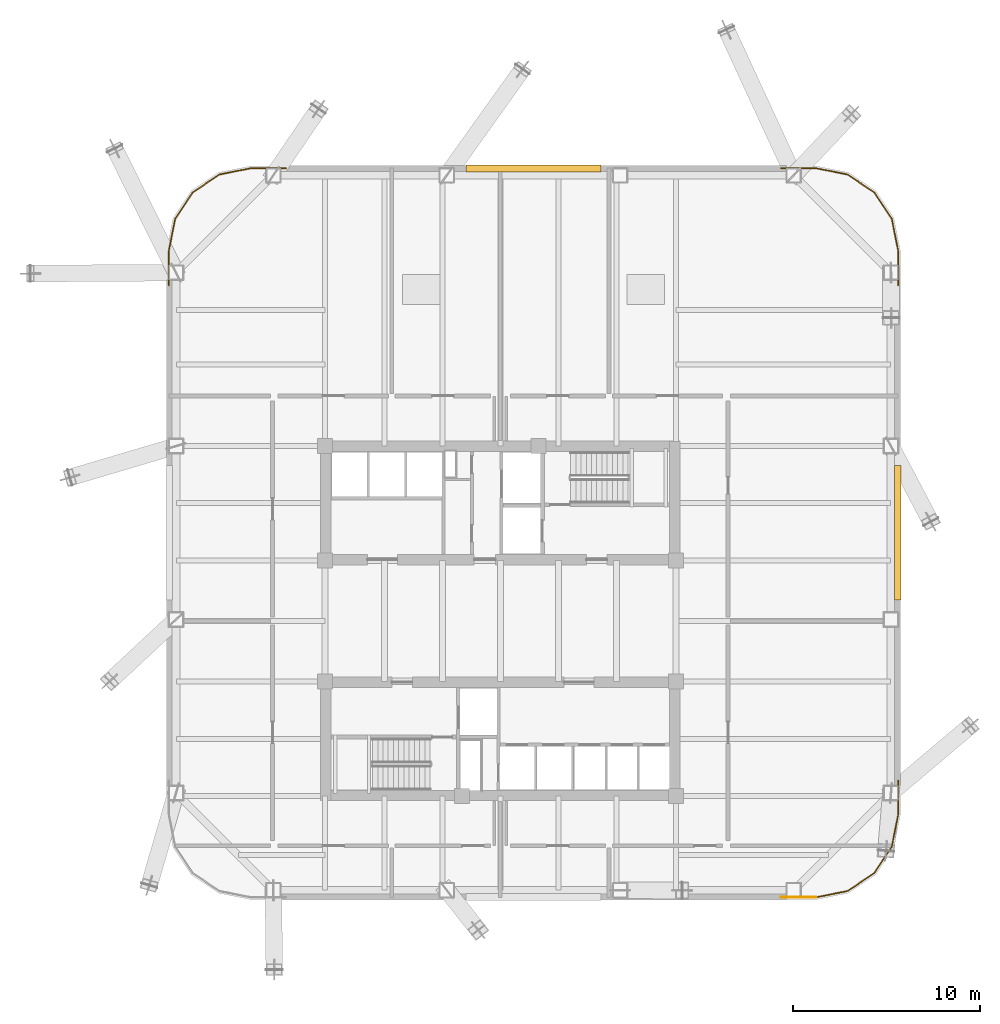
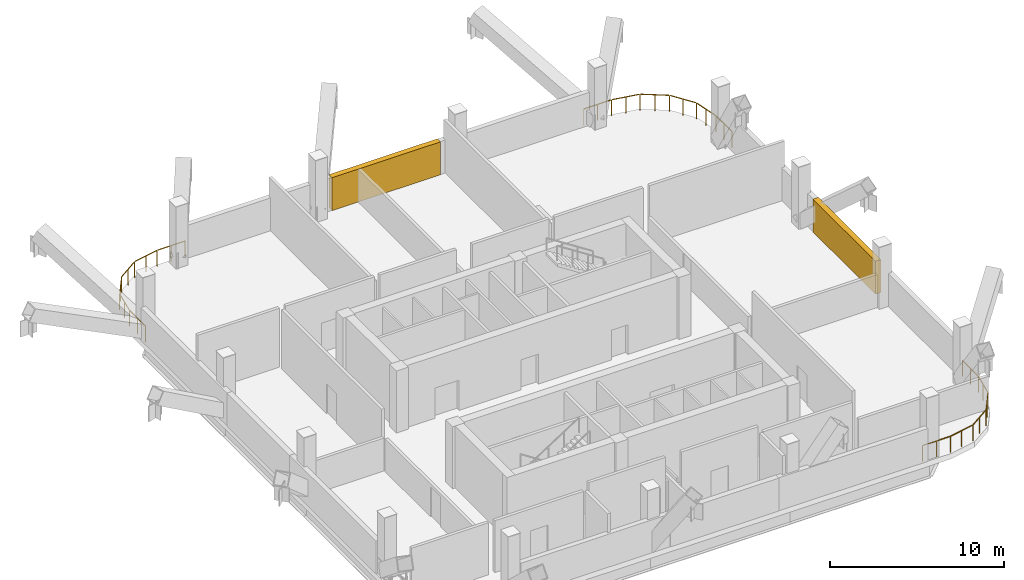
# One storey, part 7 of 7: 4 railings, 2 shading devices.
"""IFC4 building model written with IfcOpenShell, lengths in metres."""

import ifcopenshell
import ifcopenshell.guid

model = None  # the IFC model being written
_history = None  # IfcOwnerHistory: only IFC2X3 demands one
_inside = {}  # id of a spatial element -> (the spatial element, [elements in it])
_under = {}  # id of a project, library or spatial element -> (it, [spatial elements below it])
_declared = {}  # id of a project -> (the project, [libraries it declares])
_typed = {}  # id of a type object -> (the type object, [elements of that type])
_made_of = {}  # id of a material, layer set ... -> (it, [elements and type objects made of it])


def new_model(schema):
    """Start an empty IFC model of exactly this schema.

    Asked for "IFC4X3", IfcOpenShell would pick the latest addendum, in which some entities
    have other attributes; the version numbers below select the first issue.
    IFC2X3 requires an IfcOwnerHistory on every rooted entity: one is made here for all.
    """
    global model, _history
    if schema == "IFC4X3":
        model = ifcopenshell.file(schema_version=(4, 3, 0, 0))
    else:
        model = ifcopenshell.file(schema=schema)
    _inside.clear()
    _under.clear()
    _declared.clear()
    _typed.clear()
    _made_of.clear()
    _history = None
    if model.schema == "IFC2X3":
        org = make("IfcOrganization", Name="unknown")
        user = make(
            "IfcPersonAndOrganization",
            ThePerson=make("IfcPerson", FamilyName="unknown"),
            TheOrganization=org,
        )
        app = make(
            "IfcApplication",
            ApplicationDeveloper=org,
            Version="unknown",
            ApplicationFullName="unknown",
            ApplicationIdentifier="unknown",
        )
        _history = make(
            "IfcOwnerHistory",
            OwningUser=user,
            OwningApplication=app,
            ChangeAction="ADDED",
            CreationDate=0,
        )
    return model


def make(cls, **values):
    """One entity of the class cls with the attributes given. An attribute that is None is left unset."""
    return model.create_entity(
        cls, **{name: value for name, value in values.items() if value is not None}
    )


def rooted(cls, **values):
    """An entity with a GlobalId (a new one), such as an element, a storey or a relation."""
    return make(cls, GlobalId=ifcopenshell.guid.new(), OwnerHistory=_history, **values)


def si_unit(unit_type, name, prefix=None):
    """IfcSIUnit, for example si_unit("LENGTHUNIT", "METRE", prefix="MILLI")."""
    return make("IfcSIUnit", UnitType=unit_type, Prefix=prefix, Name=name)


def assignment(units):
    """IfcUnitAssignment: the units of a project."""
    return None if units is None else make("IfcUnitAssignment", Units=units)


def point(xyz):
    """IfcCartesianPoint."""
    return None if xyz is None else make("IfcCartesianPoint", Coordinates=xyz)


def direction(xyz):
    """IfcDirection."""
    return None if xyz is None else make("IfcDirection", DirectionRatios=xyz)


def frame(location, z_axis=None, x_axis=None):
    """IfcAxis2Placement3D, a coordinate frame: its origin and axes. An axis left out is left unset."""
    return make(
        "IfcAxis2Placement3D",
        Location=point(location),
        Axis=direction(z_axis),
        RefDirection=direction(x_axis),
    )


def frame_2d(location, x_axis=None):
    """IfcAxis2Placement2D, a coordinate frame in the plane: its origin and x axis."""
    return make(
        "IfcAxis2Placement2D", Location=point(location), RefDirection=direction(x_axis)
    )


def origin():
    """The frame at (0, 0, 0) with its axes left unset."""
    return frame((0.0, 0.0, 0.0))


def origin_2d():
    """The frame at (0, 0) in the plane with its x axis left unset."""
    return frame_2d((0.0, 0.0))


def place(relative_to, where):
    """IfcLocalPlacement: puts the frame where relative to a parent placement (None: the world)."""
    return make(
        "IfcLocalPlacement", PlacementRelTo=relative_to, RelativePlacement=where
    )


def context(
    kind, dimensions, precision=None, world=None, true_north=None, identifier=None
):
    """IfcGeometricRepresentationContext, for example the 3D "Model" context."""
    return make(
        "IfcGeometricRepresentationContext",
        ContextIdentifier=identifier,
        ContextType=kind,
        CoordinateSpaceDimension=dimensions,
        Precision=precision,
        WorldCoordinateSystem=world,
        TrueNorth=true_north,
    )


def subcontext(parent, identifier, kind, view, scale=None):
    """IfcGeometricRepresentationSubContext, for example "Body" below "Model"."""
    return make(
        "IfcGeometricRepresentationSubContext",
        ContextIdentifier=identifier,
        ContextType=kind,
        ParentContext=parent,
        TargetScale=scale,
        TargetView=view,
    )


def project(units=None, contexts=None):
    """IfcProject with its units and contexts."""
    return rooted(
        "IfcProject",
        Name="project",
        RepresentationContexts=contexts,
        UnitsInContext=assignment(units),
    )


def spatial(cls, under=None, at=None, **own):
    """A site, building, storey or space (cls), placed at a placement, below another one or the project."""
    s = rooted(cls, ObjectPlacement=at, **own)
    if under is not None:
        _under.setdefault(under.id(), (under, []))[1].append(s)
    return s


def profile(cls, at=None, kind="AREA", **sizes):
    """A parametric profile (cls). Its sizes go by their IFC names, for example OverallWidth=200.0."""
    return make(cls, ProfileType=kind, Position=at, **sizes)


def rectangle(**sizes):
    """IfcRectangleProfileDef."""
    return profile("IfcRectangleProfileDef", **sizes)


def extrude(swept, where, along, depth):
    """IfcExtrudedAreaSolid: the profile swept, set in the frame where, extruded along a direction by depth."""
    return make(
        "IfcExtrudedAreaSolid",
        SweptArea=swept,
        Position=where,
        ExtrudedDirection=direction(along),
        Depth=depth,
    )


def shape(context_of_items, identifier, shape_type, items):
    """IfcShapeRepresentation: the items that make up one representation, for example the "Body"."""
    return make(
        "IfcShapeRepresentation",
        ContextOfItems=context_of_items,
        RepresentationIdentifier=identifier,
        RepresentationType=shape_type,
        Items=items,
    )


def material(Name=None, Category=None):
    """IfcMaterial."""
    return make("IfcMaterial", Name=Name, Category=Category)


def made_of(thing, what):
    """Note that an element or type object is made of a material, layer set ...; save() writes the relation."""
    if what is not None:
        _made_of.setdefault(what.id(), (what, []))[1].append(thing)
    return thing


def type_object(cls, material=None, **own):
    """A type object (cls), such as IfcWallType, which elements share."""
    return made_of(rooted(cls, **own), material)


def element(
    cls,
    number,
    at=None,
    inside=None,
    cuts=None,
    type_object=None,
    material=None,
    context=None,
    identifier="Body",
    shape_type=None,
    held_by="IfcProductDefinitionShape",
    body=None,
    shapes=None,
    **own,
):
    """One element of the class cls, such as IfcWall. Its Tag is "e" and its number.

    at: its placement. inside: the storey or other place that contains it. cuts: it is an
    opening in that element (IfcRelVoidsElement). A single representation is given by context,
    identifier, shape_type and body (its items); several are given by shapes. held_by: the class
    of the entity that holds the representations. save() writes the other relations.
    """
    e = rooted(cls, Tag="e%d" % number, ObjectPlacement=at, **own)
    if body is not None:
        shapes = [shape(context, identifier, shape_type, body)]
    if shapes is not None:
        e.Representation = make(held_by, Representations=shapes)
    if inside is not None:
        _inside.setdefault(inside.id(), (inside, []))[1].append(e)
    if cuts is not None:
        rooted(
            "IfcRelVoidsElement", RelatingBuildingElement=cuts, RelatedOpeningElement=e
        )
    if type_object is not None:
        _typed.setdefault(type_object.id(), (type_object, []))[1].append(e)
    return made_of(e, material)


def aggregate(whole, parts):
    """IfcRelAggregates: a whole, such as a stair, and the parts it consists of."""
    return rooted("IfcRelAggregates", RelatingObject=whole, RelatedObjects=parts)


def save(model, path):
    """Write the relations noted so far, then the file.

    IfcRelAggregates (storeys below a building ...), IfcRelContainedInSpatialStructure (elements
    in a storey), IfcRelDefinesByType, IfcRelAssociatesMaterial and IfcRelDeclares: one each for
    every whole, place, type object, material and project.
    """
    for whole, parts in _under.values():
        aggregate(whole, parts)
    for where, things in _inside.values():
        rooted(
            "IfcRelContainedInSpatialStructure",
            RelatedElements=things,
            RelatingStructure=where,
        )
    for kind, things in _typed.values():
        rooted("IfcRelDefinesByType", RelatedObjects=things, RelatingType=kind)
    for what, things in _made_of.values():
        rooted("IfcRelAssociatesMaterial", RelatedObjects=things, RelatingMaterial=what)
    for by, libraries in _declared.values():
        rooted("IfcRelDeclares", RelatingContext=by, RelatedDefinitions=libraries)
    model.write(path)


model = new_model("IFC4")

# Units and contexts
model_context = context("Model", 3, precision=1e-05, world=origin(), true_north=direction((0.0, 1.0)))
body_context = subcontext(model_context, "Body", "Model", "MODEL_VIEW")
ifc_project = project(units=[si_unit("LENGTHUNIT", "METRE"), si_unit("AREAUNIT", "SQUARE_METRE"), si_unit("VOLUMEUNIT", "CUBIC_METRE"), si_unit("PLANEANGLEUNIT", "RADIAN"), si_unit("MASSUNIT", "GRAM", prefix="KILO")], contexts=[model_context])

# Site, building, storey
site_placement = place(None, origin())
site = spatial("IfcSite", under=ifc_project, at=site_placement, CompositionType="ELEMENT")
building_placement = place(site_placement, origin())
building = spatial("IfcBuilding", under=site, at=building_placement, Name="Qhalaya Broadcast Tower", CompositionType="ELEMENT")
storey_placement = place(building_placement, frame((0.0, 0.0, 108.449951171875)))
storey = spatial("IfcBuildingStorey", under=building, at=storey_placement, Name="L31", CompositionType="ELEMENT", Elevation=108.449951171875)

# Shading devices
ifc_material_1 = material(Name="Fired Architectural Terracotta", Category="masonry")
shading_device_type = type_object("IfcShadingDeviceType", Name="Plant & Turbine-Slot Acoustic Louvre Screen LVS-01", PredefinedType="USERDEFINED", material=ifc_material_1)
for number, where, z_axis, x_axis, name in (
    (1, (21.22998046875, 5.31005859375, 0.0), (0.0, 0.0, 1.0), (0.0, -1.0, 0.0), "L31 Plant Acoustic Louvre Screen E"),
    (2, (1.77001953125, 24.77001953125, 0.0), (0.0, 0.0, 1.0), (1.0, 0.0, 0.0), "L31 Plant Acoustic Louvre Screen N"),
):
    element("IfcShadingDevice", number, at=place(storey_placement, frame(where, z_axis=z_axis, x_axis=x_axis)), inside=storey, type_object=shading_device_type, Name=name, ObjectType="LOUVRE", PredefinedType="USERDEFINED", context=body_context, shape_type="SweptSolid", body=[
        extrude(rectangle(XDim=7.199951171875, YDim=0.360107421875, at=origin_2d()), origin(), (0.0, 0.0, 1.0), 2.31005859375),
    ])

# Railings
ifc_material_2 = material(Name="Powder-Coated Galvanised Steel", Category="steel")
railing_type = type_object("IfcRailingType", Name="Terrace, Sky-Pool & Lookout Glass Balustrade 1150", PredefinedType="BALUSTRADE", material=ifc_material_2)
railing_1_placement = place(storey_placement, frame((16.858154296875, -14.169921875, 0.0)))
element("IfcRailing", 3, at=railing_1_placement, inside=storey, type_object=railing_type, Name="L31 Rounded Corner Perimeter Guard 01", PredefinedType="BALUSTRADE", context=body_context, shape_type="SweptSolid", body=[
    extrude(rectangle(XDim=0.048095703125, YDim=0.048095703125, at=origin_2d()), frame((0.0, 0.0, 1.1259765625), z_axis=(-1.0, 0.0, 0.0), x_axis=(0.0, -1.0, 0.0)), (0.0, 0.0, 1.0), 1.856201171875),
    extrude(rectangle(XDim=0.0419921875, YDim=0.0419921875, at=origin_2d()), origin(), (0.0, 0.0, 1.0), 1.099853515625),
    extrude(rectangle(XDim=0.0419921875, YDim=0.0419921875, at=origin_2d()), frame((-0.92822265625, 0.0, 0.0)), (0.0, 0.0, 1.0), 1.099853515625),
    extrude(rectangle(XDim=0.0419921875, YDim=0.0419921875, at=origin_2d()), frame((-1.856201171875, 0.0, 0.0)), (0.0, 0.0, 1.0), 1.099853515625),
])
railing_2_placement = place(storey_placement, frame((-17.7099609375, 18.5419921875, 0.0)))
element("IfcRailing", 4, at=railing_2_placement, inside=storey, type_object=railing_type, Name="L31 Rounded Corner Perimeter Guard 03", PredefinedType="BALUSTRADE", context=body_context, shape_type="SweptSolid", body=[
    extrude(rectangle(XDim=0.048095703125, YDim=0.048095703125, at=origin_2d()), frame((0.0, 0.0, 1.1259765625), z_axis=(0.0, 1.0, 0.0), x_axis=(-1.0, 0.0, 0.0)), (0.0, 0.0, 1.0), 1.827392578125),
    extrude(rectangle(XDim=0.048095703125, YDim=0.048095703125, at=origin_2d()), frame((0.005615234375, 1.884521484375, 1.1259765625), z_axis=(0.195024175165, 0.980798435511, 0.0), x_axis=(-0.980798435511, 0.195024175165, 0.0)), (0.0, 0.0, 1.0), 1.662353515625),
    extrude(rectangle(XDim=0.048095703125, YDim=0.048095703125, at=origin_2d()), frame((0.3515625, 3.567138671875, 1.1259765625), z_axis=(0.555524454036, 0.831500199018, 0.0), x_axis=(-0.831500199018, 0.555524454036, 0.0)), (0.0, 0.0, 1.0), 1.650634765625),
    extrude(rectangle(XDim=0.048095703125, YDim=0.048095703125, at=origin_2d()), frame((1.308349609375, 4.979736328125, 1.1259765625), z_axis=(0.831456085426, 0.555590476887, 0.0), x_axis=(-0.555590476887, 0.831456085426, 0.0)), (0.0, 0.0, 1.0), 1.650390625),
    extrude(rectangle(XDim=0.048095703125, YDim=0.048095703125, at=origin_2d()), frame((2.73291015625, 5.918212890625, 1.1259765625), z_axis=(0.980803832953, 0.194997028864, 0.0), x_axis=(-0.194997028864, 0.980803832953, 0.0)), (0.0, 0.0, 1.0), 1.66259765625),
    extrude(rectangle(XDim=0.048095703125, YDim=0.048095703125, at=origin_2d()), frame((4.420654296875, 6.248046875, 1.1259765625), z_axis=(1.0, 0.0, 0.0), x_axis=(0.0, 1.0, 0.0)), (0.0, 0.0, 1.0), 1.827392578125),
    extrude(rectangle(XDim=0.0419921875, YDim=0.0419921875, at=origin_2d()), origin(), (0.0, 0.0, 1.0), 1.099853515625),
    extrude(rectangle(XDim=0.0419921875, YDim=0.0419921875, at=origin_2d()), frame((0.0, 0.92822265625, 0.0)), (0.0, 0.0, 1.0), 1.099853515625),
    extrude(rectangle(XDim=0.0419921875, YDim=0.0419921875, at=origin_2d()), frame((0.0, 1.856201171875, 0.0)), (0.0, 0.0, 1.0), 1.099853515625),
    extrude(rectangle(XDim=0.0419921875, YDim=0.0419921875, at=origin_2d()), frame((0.167724609375, 2.69970703125, 0.0)), (0.0, 0.0, 1.0), 1.099853515625),
    extrude(rectangle(XDim=0.0419921875, YDim=0.0419921875, at=origin_2d()), frame((0.33544921875, 3.543212890625, 0.0)), (0.0, 0.0, 1.0), 1.099853515625),
    extrude(rectangle(XDim=0.0419921875, YDim=0.0419921875, at=origin_2d()), frame((0.81005859375, 4.25341796875, 0.0)), (0.0, 0.0, 1.0), 1.099853515625),
    extrude(rectangle(XDim=0.0419921875, YDim=0.0419921875, at=origin_2d()), frame((1.284423828125, 4.963623046875, 0.0)), (0.0, 0.0, 1.0), 1.099853515625),
    extrude(rectangle(XDim=0.0419921875, YDim=0.0419921875, at=origin_2d()), frame((1.99462890625, 5.43798828125, 0.0)), (0.0, 0.0, 1.0), 1.099853515625),
    extrude(rectangle(XDim=0.0419921875, YDim=0.0419921875, at=origin_2d()), frame((2.70458984375, 5.91259765625, 0.0)), (0.0, 0.0, 1.0), 1.099853515625),
    extrude(rectangle(XDim=0.0419921875, YDim=0.0419921875, at=origin_2d()), frame((3.54833984375, 6.080322265625, 0.0)), (0.0, 0.0, 1.0), 1.099853515625),
    extrude(rectangle(XDim=0.0419921875, YDim=0.0419921875, at=origin_2d()), frame((4.391845703125, 6.248046875, 0.0)), (0.0, 0.0, 1.0), 1.099853515625),
    extrude(rectangle(XDim=0.0419921875, YDim=0.0419921875, at=origin_2d()), frame((5.31982421875, 6.248046875, 0.0)), (0.0, 0.0, 1.0), 1.099853515625),
    extrude(rectangle(XDim=0.0419921875, YDim=0.0419921875, at=origin_2d()), frame((6.248046875, 6.248046875, 0.0)), (0.0, 0.0, 1.0), 1.099853515625),
])
railing_3_placement = place(storey_placement, frame((15.001953125, 24.7900390625, 0.0)))
element("IfcRailing", 5, at=railing_3_placement, inside=storey, type_object=railing_type, Name="L31 Rounded Corner Perimeter Guard 04", PredefinedType="BALUSTRADE", context=body_context, shape_type="SweptSolid", body=[
    extrude(rectangle(XDim=0.048095703125, YDim=0.048095703125, at=origin_2d()), frame((0.0, 0.0, 1.1259765625), z_axis=(1.0, 0.0, 0.0), x_axis=(0.0, 1.0, 0.0)), (0.0, 0.0, 1.0), 1.827392578125),
    extrude(rectangle(XDim=0.048095703125, YDim=0.048095703125, at=origin_2d()), frame((1.884521484375, -0.005615234375, 1.1259765625), z_axis=(0.980803832953, -0.194997028864, 0.0), x_axis=(0.194997028864, 0.980803832953, 0.0)), (0.0, 0.0, 1.0), 1.66259765625),
    extrude(rectangle(XDim=0.048095703125, YDim=0.048095703125, at=origin_2d()), frame((3.5673828125, -0.3515625, 1.1259765625), z_axis=(0.831456085426, -0.555590476887, 0.0), x_axis=(0.555590476887, 0.831456085426, 0.0)), (0.0, 0.0, 1.0), 1.650390625),
    extrude(rectangle(XDim=0.048095703125, YDim=0.048095703125, at=origin_2d()), frame((4.979736328125, -1.308349609375, 1.1259765625), z_axis=(0.555524454036, -0.831500199018, 0.0), x_axis=(0.831500199018, 0.555524454036, 0.0)), (0.0, 0.0, 1.0), 1.650634765625),
    extrude(rectangle(XDim=0.048095703125, YDim=0.048095703125, at=origin_2d()), frame((5.918212890625, -2.733154296875, 1.1259765625), z_axis=(0.195024175165, -0.980798435511, 0.0), x_axis=(0.980798435511, 0.195024175165, 0.0)), (0.0, 0.0, 1.0), 1.662353515625),
    extrude(rectangle(XDim=0.048095703125, YDim=0.048095703125, at=origin_2d()), frame((6.248046875, -4.420654296875, 1.1259765625), z_axis=(0.0, -1.0, 0.0), x_axis=(1.0, 0.0, 0.0)), (0.0, 0.0, 1.0), 1.827392578125),
    extrude(rectangle(XDim=0.0419921875, YDim=0.0419921875, at=origin_2d()), origin(), (0.0, 0.0, 1.0), 1.099853515625),
    extrude(rectangle(XDim=0.0419921875, YDim=0.0419921875, at=origin_2d()), frame((0.92822265625, 0.0, 0.0)), (0.0, 0.0, 1.0), 1.099853515625),
    extrude(rectangle(XDim=0.0419921875, YDim=0.0419921875, at=origin_2d()), frame((1.856201171875, 0.0, 0.0)), (0.0, 0.0, 1.0), 1.099853515625),
    extrude(rectangle(XDim=0.0419921875, YDim=0.0419921875, at=origin_2d()), frame((2.69970703125, -0.167724609375, 0.0)), (0.0, 0.0, 1.0), 1.099853515625),
    extrude(rectangle(XDim=0.0419921875, YDim=0.0419921875, at=origin_2d()), frame((3.54345703125, -0.33544921875, 0.0)), (0.0, 0.0, 1.0), 1.099853515625),
    extrude(rectangle(XDim=0.0419921875, YDim=0.0419921875, at=origin_2d()), frame((4.25341796875, -0.81005859375, 0.0)), (0.0, 0.0, 1.0), 1.099853515625),
    extrude(rectangle(XDim=0.0419921875, YDim=0.0419921875, at=origin_2d()), frame((4.963623046875, -1.284423828125, 0.0)), (0.0, 0.0, 1.0), 1.099853515625),
    extrude(rectangle(XDim=0.0419921875, YDim=0.0419921875, at=origin_2d()), frame((5.43798828125, -1.99462890625, 0.0)), (0.0, 0.0, 1.0), 1.099853515625),
    extrude(rectangle(XDim=0.0419921875, YDim=0.0419921875, at=origin_2d()), frame((5.91259765625, -2.704833984375, 0.0)), (0.0, 0.0, 1.0), 1.099853515625),
    extrude(rectangle(XDim=0.0419921875, YDim=0.0419921875, at=origin_2d()), frame((6.080322265625, -3.54833984375, 0.0)), (0.0, 0.0, 1.0), 1.099853515625),
    extrude(rectangle(XDim=0.0419921875, YDim=0.0419921875, at=origin_2d()), frame((6.248046875, -4.391845703125, 0.0)), (0.0, 0.0, 1.0), 1.099853515625),
    extrude(rectangle(XDim=0.0419921875, YDim=0.0419921875, at=origin_2d()), frame((6.248046875, -5.31982421875, 0.0)), (0.0, 0.0, 1.0), 1.099853515625),
    extrude(rectangle(XDim=0.0419921875, YDim=0.0419921875, at=origin_2d()), frame((6.248046875, -6.248046875, 0.0)), (0.0, 0.0, 1.0), 1.099853515625),
])
railing_4_placement = place(storey_placement, frame((21.25, -7.922119140625, 0.0)))
element("IfcRailing", 6, at=railing_4_placement, inside=storey, type_object=railing_type, Name="L31 Rounded Corner Perimeter Guard 05", PredefinedType="BALUSTRADE", context=body_context, shape_type="SweptSolid", body=[
    extrude(rectangle(XDim=0.048095703125, YDim=0.048095703125, at=origin_2d()), frame((0.0, 0.0, 1.1259765625), z_axis=(0.0, -1.0, 0.0), x_axis=(1.0, 0.0, 0.0)), (0.0, 0.0, 1.0), 1.827392578125),
    extrude(rectangle(XDim=0.048095703125, YDim=0.048095703125, at=origin_2d()), frame((-0.005615234375, -1.884521484375, 1.1259765625), z_axis=(-0.195024175165, -0.980798435511, 0.0), x_axis=(0.980798435511, -0.195024175165, 0.0)), (0.0, 0.0, 1.0), 1.662353515625),
    extrude(rectangle(XDim=0.048095703125, YDim=0.048095703125, at=origin_2d()), frame((-0.3515625, -3.567138671875, 1.1259765625), z_axis=(-0.555590476887, -0.831456085426, 0.0), x_axis=(0.831456085426, -0.555590476887, 0.0)), (0.0, 0.0, 1.0), 1.650390625),
    extrude(rectangle(XDim=0.048095703125, YDim=0.048095703125, at=origin_2d()), frame((-1.308349609375, -4.9794921875, 1.1259765625), z_axis=(-0.831456085426, -0.555590476887, 0.0), x_axis=(0.555590476887, -0.831456085426, 0.0)), (0.0, 0.0, 1.0), 1.650390625),
    extrude(rectangle(XDim=0.048095703125, YDim=0.048095703125, at=origin_2d()), frame((-2.73291015625, -5.91796875, 1.1259765625), z_axis=(-0.980803832953, -0.194997028864, 0.0), x_axis=(0.194997028864, -0.980803832953, 0.0)), (0.0, 0.0, 1.0), 1.69140625),
    extrude(rectangle(XDim=0.0419921875, YDim=0.0419921875, at=origin_2d()), origin(), (0.0, 0.0, 1.0), 1.099853515625),
    extrude(rectangle(XDim=0.0419921875, YDim=0.0419921875, at=origin_2d()), frame((0.0, -0.92822265625, 0.0)), (0.0, 0.0, 1.0), 1.099853515625),
    extrude(rectangle(XDim=0.0419921875, YDim=0.0419921875, at=origin_2d()), frame((0.0, -1.856201171875, 0.0)), (0.0, 0.0, 1.0), 1.099853515625),
    extrude(rectangle(XDim=0.0419921875, YDim=0.0419921875, at=origin_2d()), frame((-0.167724609375, -2.69970703125, 0.0)), (0.0, 0.0, 1.0), 1.099853515625),
    extrude(rectangle(XDim=0.0419921875, YDim=0.0419921875, at=origin_2d()), frame((-0.33544921875, -3.543212890625, 0.0)), (0.0, 0.0, 1.0), 1.099853515625),
    extrude(rectangle(XDim=0.0419921875, YDim=0.0419921875, at=origin_2d()), frame((-0.81005859375, -4.25341796875, 0.0)), (0.0, 0.0, 1.0), 1.099853515625),
    extrude(rectangle(XDim=0.0419921875, YDim=0.0419921875, at=origin_2d()), frame((-1.284423828125, -4.96337890625, 0.0)), (0.0, 0.0, 1.0), 1.099853515625),
    extrude(rectangle(XDim=0.0419921875, YDim=0.0419921875, at=origin_2d()), frame((-1.99462890625, -5.43798828125, 0.0)), (0.0, 0.0, 1.0), 1.099853515625),
    extrude(rectangle(XDim=0.0419921875, YDim=0.0419921875, at=origin_2d()), frame((-2.70458984375, -5.912353515625, 0.0)), (0.0, 0.0, 1.0), 1.099853515625),
    extrude(rectangle(XDim=0.0419921875, YDim=0.0419921875, at=origin_2d()), frame((-3.54833984375, -6.080078125, 0.0)), (0.0, 0.0, 1.0), 1.099853515625),
    extrude(rectangle(XDim=0.0419921875, YDim=0.0419921875, at=origin_2d()), frame((-4.391845703125, -6.247802734375, 0.0)), (0.0, 0.0, 1.0), 1.099853515625),
])

save(model, "model.ifc")
